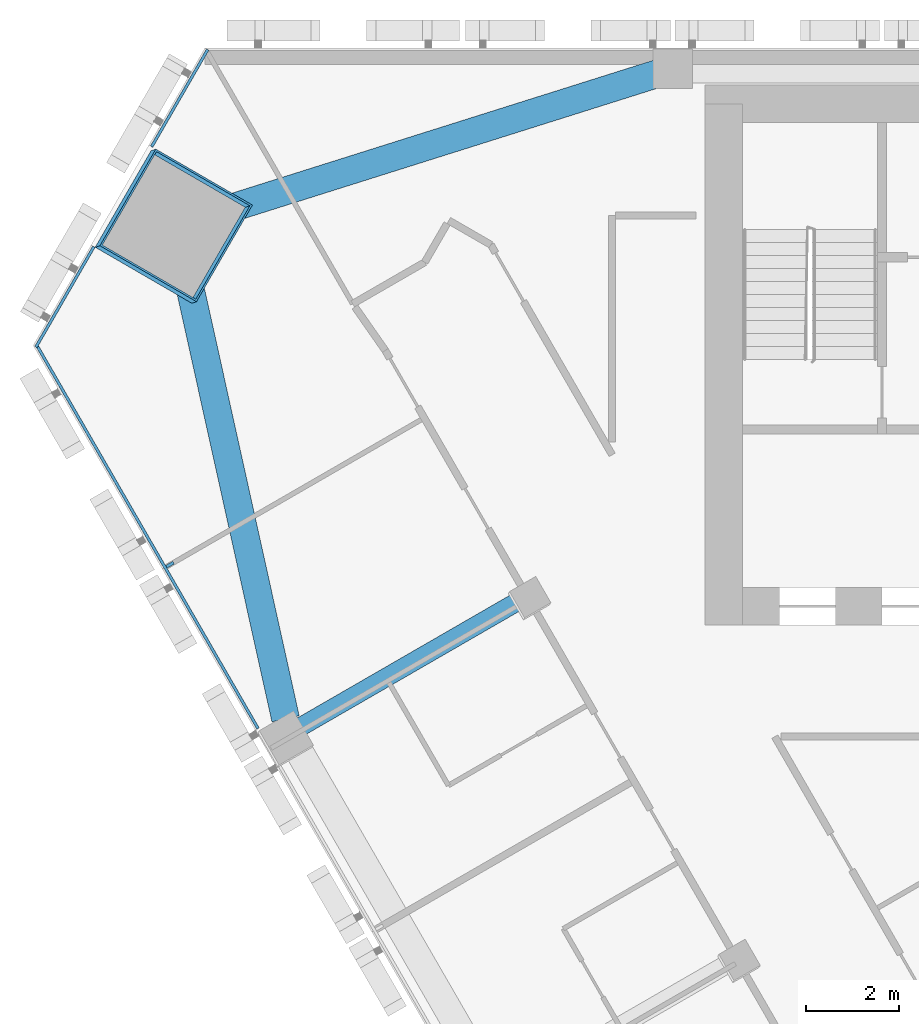
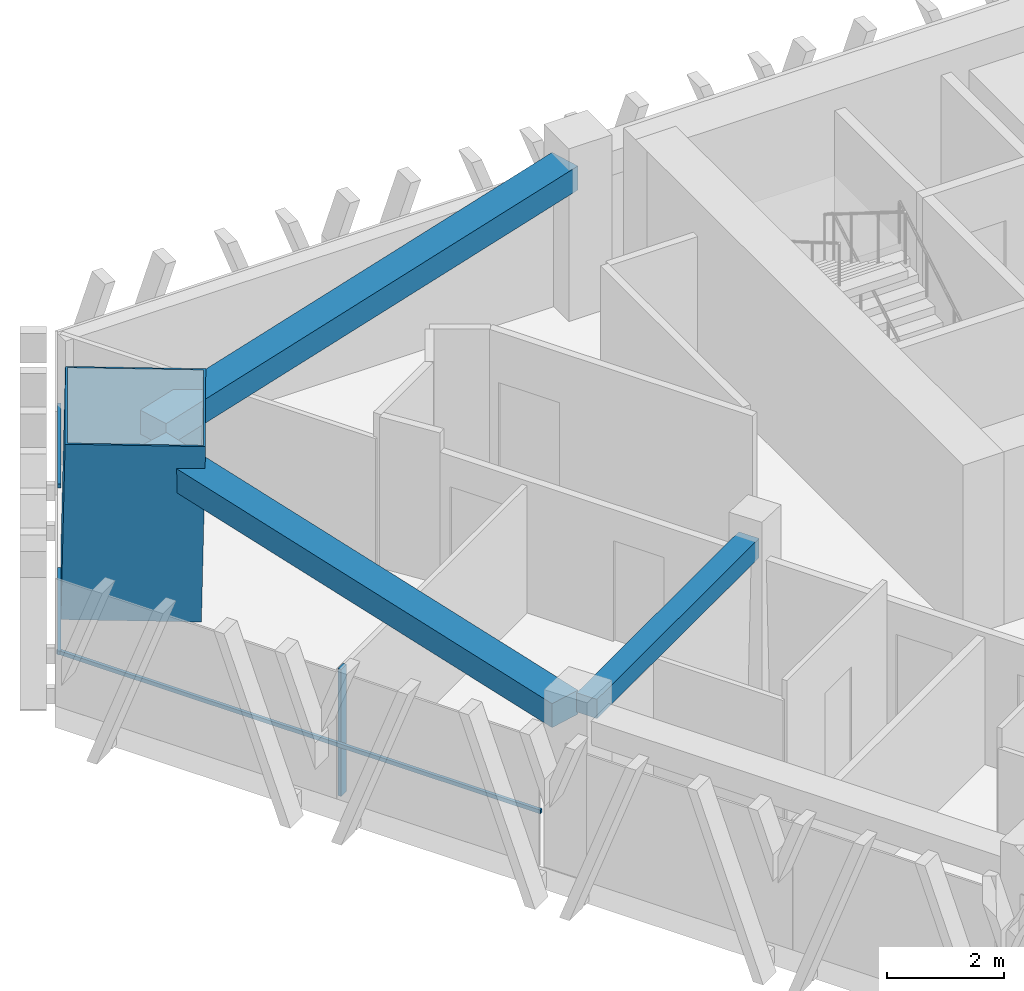
# One storey, part 5 of 16: 5 members, 3 beams, 2 elements without a shape of their own.
"""IFC4 building model written with IfcOpenShell, lengths in metres."""

from ifc_helpers import new_model, si_unit, direction, frame, origin, origin_2d, place, context, subcontext, project, spatial, rectangle, hollow_rectangle, extrude, material, layer, layer_set, material_profile, profile_set, type_object, element, aggregate, save


model = new_model("IFC4")

# Units and contexts
model_context = context("Model", 3, precision=1e-05, world=origin(), true_north=direction((0.0, 1.0)))
body_context = subcontext(model_context, "Body", "Model", "MODEL_VIEW")
ifc_project = project(units=[si_unit("LENGTHUNIT", "METRE"), si_unit("AREAUNIT", "SQUARE_METRE"), si_unit("VOLUMEUNIT", "CUBIC_METRE"), si_unit("PLANEANGLEUNIT", "RADIAN"), si_unit("MASSUNIT", "GRAM", prefix="KILO")], contexts=[model_context])

# Site, building, storey
site_placement = place(None, origin())
site = spatial("IfcSite", under=ifc_project, at=site_placement, CompositionType="ELEMENT")
building_placement = place(site_placement, origin())
building = spatial("IfcBuilding", under=site, at=building_placement, Name="Altiplano Prism Tower", CompositionType="ELEMENT")
storey_placement = place(building_placement, frame((0.0, 0.0, 149.39990234375)))
storey = spatial("IfcBuildingStorey", under=building, at=storey_placement, Name="L38", CompositionType="ELEMENT", Elevation=149.39990234375)

# Curtain wall, member
ifc_material_1 = material(Name="Aluminium and glass", Category="aluminium")
ifc_layer = layer(ifc_material_1, 0.280029296875)
ifc_layer_set = layer_set([ifc_layer], Name="Aluminium and glass")
curtain_wall_type = type_object("IfcCurtainWallType", Name="CW1 typical co-living unitised curtain wall", PredefinedType="NOTDEFINED", material=ifc_layer_set)
curtain_wall_1_placement = place(storey_placement, origin())
curtain_wall_1 = element("IfcCurtainWall", 1, at=curtain_wall_1_placement, inside=storey, type_object=curtain_wall_type, Name="CW1 curtain wall south-west face L38", PredefinedType="NOTDEFINED")
ifc_material_2 = material(Name="Aluminium", Category="aluminium")
ifc_material_profile_1 = material_profile(ifc_material_2, rectangle(XDim=0.179931640625, YDim=0.06494140625, at=origin_2d()), Name="CW1 mullion 65 x 180")
ifc_profile_set_1 = profile_set([ifc_material_profile_1], Name="Aluminium")
member_type_1 = type_object("IfcMemberType", Name="CW1 mullion 65 x 180", PredefinedType="MULLION", material=ifc_profile_set_1)
member_1_placement = place(storey_placement, frame((60.69775390625, 93.89404296875, 0.0), z_axis=(0.0, 0.0, 1.0), x_axis=(0.86602540121, 0.500000004459, 0.0)))
member_1 = element("IfcMember", 2, at=member_1_placement, type_object=member_type_1, Name="CW1 mullion", PredefinedType="MULLION", context=body_context, shape_type="SweptSolid", body=[
    extrude(rectangle(XDim=0.179931640625, YDim=0.06494140625, at=origin_2d()), origin(), (0.0, 0.0, 1.0), 2.650146484375),
])

# Curtain wall, members
curtain_wall_2_placement = place(storey_placement, origin())
curtain_wall_2 = element("IfcCurtainWall", 3, at=curtain_wall_2_placement, inside=storey, type_object=curtain_wall_type, Name="CW1 curtain wall north-west chamfer L38", PredefinedType="NOTDEFINED")
ifc_material_profile_2 = material_profile(ifc_material_2, rectangle(XDim=0.06005859375, YDim=0.080078125, at=origin_2d()), Name="CW1 transom 80 x 60")
ifc_profile_set_2 = profile_set([ifc_material_profile_2], Name="Aluminium")
member_type_2 = type_object("IfcMemberType", Name="CW1 transom 80 x 60", PredefinedType="USERDEFINED", material=ifc_profile_set_2)
member_2_placement = place(storey_placement, frame((61.509765625, 104.965087890625, 1.10009765625), z_axis=(-0.499906488383, -0.86607938601, 0.0), x_axis=(0.86607938601, -0.499906488383, 0.0)))
member_2 = element("IfcMember", 4, at=member_2_placement, type_object=member_type_2, Name="CW1 transom", ObjectType="TRANSOM", PredefinedType="USERDEFINED", context=body_context, shape_type="SweptSolid", body=[
    extrude(rectangle(XDim=0.06005859375, YDim=0.080078125, at=origin_2d()), origin(), (0.0, 0.0, 1.0), 2.41162109375),
])
member_3_placement = place(storey_placement, frame((59.064208984375, 100.728759765625, 1.10009765625), z_axis=(-0.500027802648, -0.866009351323, 0.0), x_axis=(0.866009351323, -0.500027802648, 0.0)))
member_3 = element("IfcMember", 5, at=member_3_placement, type_object=member_type_2, Name="CW1 transom", ObjectType="TRANSOM", PredefinedType="USERDEFINED", context=body_context, shape_type="SweptSolid", body=[
    extrude(rectangle(XDim=0.06005859375, YDim=0.080078125, at=origin_2d()), origin(), (0.0, 0.0, 1.0), 2.491455078125),
])
aggregate(curtain_wall_2, [member_2, member_3])

# Member
member_4_placement = place(storey_placement, frame((57.818359375, 98.64111328125, 1.10009765625), z_axis=(0.5000036028, -0.866023323697, 0.0), x_axis=(0.866023323697, 0.5000036028, 0.0)))
member_4 = element("IfcMember", 6, at=member_4_placement, type_object=member_type_2, Name="CW1 transom", ObjectType="TRANSOM", PredefinedType="USERDEFINED", context=body_context, shape_type="SweptSolid", body=[
    extrude(rectangle(XDim=0.06005859375, YDim=0.080078125, at=origin_2d()), origin(), (0.0, 0.0, 1.0), 9.54638671875),
])

aggregate(curtain_wall_1, [member_1, member_4])

# Beams
ifc_material_3 = material(Name="Concrete C60/75", Category="concrete")
ifc_material_profile_3 = material_profile(ifc_material_3, rectangle(XDim=0.60009765625, YDim=0.5, at=origin_2d()), Name="Edge beam 600x500")
ifc_profile_set_3 = profile_set([ifc_material_profile_3], Name="Concrete C60/75")
beam_type_1 = type_object("IfcBeamType", Name="Edge beam 600x500", PredefinedType="SPANDREL", material=ifc_profile_set_3)
beam_1_placement = place(storey_placement, frame((71.189453125, 104.4521484375, 2.900146484375), z_axis=(-0.953720791959, -0.300693616468, 0.0), x_axis=(0.300693616468, -0.953720791959, 0.0)))
element("IfcBeam", 7, at=beam_1_placement, inside=storey, type_object=beam_type_1, Name="Edge beam P04-M0 L39", PredefinedType="SPANDREL", context=body_context, shape_type="SweptSolid", body=[
    extrude(rectangle(XDim=0.60009765625, YDim=0.5, at=origin_2d()), origin(), (0.0, 0.0, 1.0), 10.410400390625),
])
beam_2_placement = place(storey_placement, frame((60.928955078125, 100.7470703125, 2.900146484375), z_axis=(0.21645368481, -0.976292887576, 0.0), x_axis=(0.976292887576, 0.21645368481, 0.0)))
element("IfcBeam", 8, at=beam_2_placement, inside=storey, type_object=beam_type_1, Name="Edge beam M0-P11 L39", PredefinedType="SPANDREL", context=body_context, shape_type="SweptSolid", body=[
    extrude(rectangle(XDim=0.60009765625, YDim=0.5, at=origin_2d()), origin(), (0.0, 0.0, 1.0), 10.41064453125),
])

# Member
ifc_material_4 = material(Name="Steel S460", Category="steel")
ifc_material_profile_4 = material_profile(ifc_material_4, hollow_rectangle(XDim=2.39990234375, YDim=2.39990234375, WallThickness=0.0400390625, at=origin_2d()), Name="Mega column tube 2400")
ifc_profile_set_4 = profile_set([ifc_material_profile_4], Name="Steel S460")
member_type_3 = type_object("IfcMemberType", Name="Mega column tube 2400", PredefinedType="POST", material=ifc_profile_set_4)
member_5_placement = place(storey_placement, frame((60.729248046875, 101.153076171875, 0.0), z_axis=(0.028401814599, 0.009218727412, 0.999554076572), x_axis=(-0.865127421055, 0.501154806977, 0.019960079728)))
element("IfcMember", 9, at=member_5_placement, inside=storey, type_object=member_type_3, Name="Mega column tube M0 L38", PredefinedType="POST", context=body_context, shape_type="SweptSolid", body=[
    extrude(hollow_rectangle(XDim=2.39990234375, YDim=2.39990234375, WallThickness=0.0400390625, at=origin_2d()), origin(), (0.0, 0.0, 1.0), 3.601806640625),
])

# Beam
ifc_material_profile_5 = material_profile(ifc_material_3, rectangle(XDim=0.39990234375, YDim=0.39990234375, at=origin_2d()), Name="Tie beam 400x400")
ifc_profile_set_5 = profile_set([ifc_material_profile_5], Name="Concrete C60/75")
beam_type_2 = type_object("IfcBeamType", Name="Tie beam 400x400", PredefinedType="BEAM", material=ifc_profile_set_5)
beam_3_placement = place(storey_placement, frame((68.314697265625, 93.18798828125, 2.9501953125), z_axis=(-0.866027073272, -0.499997108352, 0.0), x_axis=(0.499997108352, -0.866027073272, 0.0)))
element("IfcBeam", 10, at=beam_3_placement, inside=storey, type_object=beam_type_2, Name="Tie beam I11 L39", PredefinedType="BEAM", context=body_context, shape_type="SweptSolid", body=[
    extrude(rectangle(XDim=0.39990234375, YDim=0.39990234375, at=origin_2d()), origin(), (0.0, 0.0, 1.0), 5.5400390625),
])

save(model, "model.ifc")
